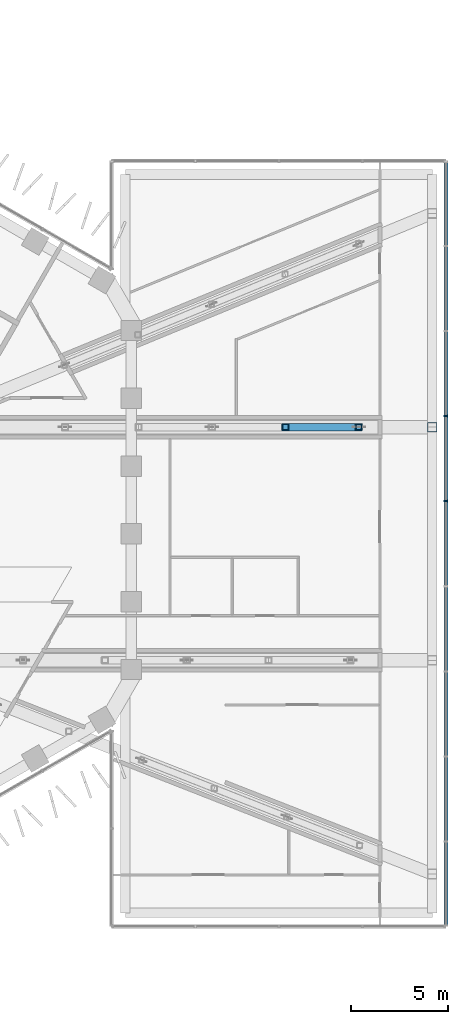
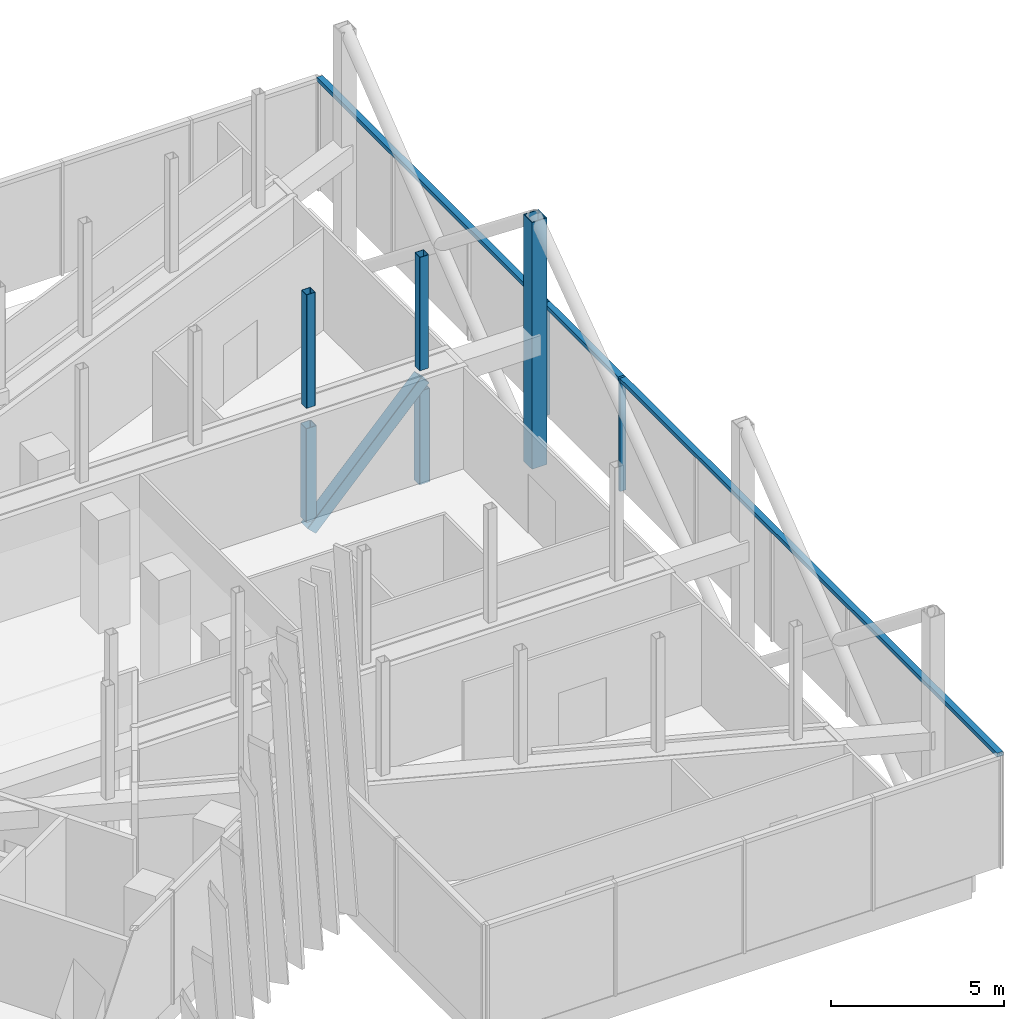
# One storey, part 7 of 28: 9 members, 1 element without a shape of its own.
"""IFC4 building model written with IfcOpenShell, lengths in metres."""

from ifc_helpers import new_model, si_unit, direction, frame, origin, origin_2d, place, context, subcontext, project, spatial, rectangle, hollow_rectangle, extrude, material, layer, layer_set, material_profile, profile_set, type_object, element, aggregate, save


model = new_model("IFC4")

# Units and contexts
model_context = context("Model", 3, precision=1e-05, world=origin(), true_north=direction((0.0, 1.0)))
body_context = subcontext(model_context, "Body", "Model", "MODEL_VIEW")
ifc_project = project(units=[si_unit("LENGTHUNIT", "METRE"), si_unit("AREAUNIT", "SQUARE_METRE"), si_unit("VOLUMEUNIT", "CUBIC_METRE"), si_unit("PLANEANGLEUNIT", "RADIAN"), si_unit("MASSUNIT", "GRAM", prefix="KILO")], contexts=[model_context])

# Site, building, storey
site_placement = place(None, origin())
site = spatial("IfcSite", under=ifc_project, at=site_placement, CompositionType="ELEMENT")
building_placement = place(site_placement, origin())
building = spatial("IfcBuilding", under=site, at=building_placement, Name="Ayvan Gate Tower", CompositionType="ELEMENT")
storey_placement = place(building_placement, frame((0.0, 0.0, 120.5)))
storey = spatial("IfcBuildingStorey", under=building, at=storey_placement, Name="L32", CompositionType="ELEMENT", Elevation=120.5)

# Members
ifc_material_1 = material(Name="Steel S460ML", Category="steel")
ifc_material_profile_1 = material_profile(ifc_material_1, hollow_rectangle(XDim=0.5, YDim=0.5, WallThickness=0.030029296875, at=origin_2d()), Name="BOX 500x500x30")
ifc_profile_set_1 = profile_set([ifc_material_profile_1], Name="Steel S460ML")
member_type_1 = type_object("IfcMemberType", Name="Sky bar end wall post BOX 500x500x30", PredefinedType="POST", material=ifc_profile_set_1)
member_1_placement = place(storey_placement, frame((34.985595703125, 3.75, -1.10009765625), z_axis=(0.0, 0.0, 1.0), x_axis=(1.0, 0.0, 0.0)))
element("IfcMember", 1, at=member_1_placement, inside=storey, type_object=member_type_1, Name="EXO-B2-P3", PredefinedType="POST", context=body_context, shape_type="SweptSolid", body=[
    extrude(hollow_rectangle(XDim=0.5, YDim=0.5, WallThickness=0.030029296875, at=origin_2d()), origin(), (0.0, 0.0, 1.0), 8.7001953125),
])
ifc_material_2 = material(Name="Steel S460NH", Category="steel")
ifc_material_profile_2 = material_profile(ifc_material_2, hollow_rectangle(XDim=0.39990234375, YDim=0.39990234375, WallThickness=0.01611328125, InnerFilletRadius=0.01611328125, OuterFilletRadius=0.02392578125, at=origin_2d()), Name="RHS 400x400x16")
ifc_profile_set_2 = profile_set([ifc_material_profile_2], Name="Steel S460NH")
member_type_2 = type_object("IfcMemberType", Name="Sky bar truss brace B2 RHS 400x400x16", PredefinedType="BRACE", material=ifc_profile_set_2)
member_2_placement = place(storey_placement, frame((27.423828125, 3.75, -0.75), z_axis=(0.686910026265, 0.0, 0.726742468703), x_axis=(0.0, 1.0, 0.0)))
element("IfcMember", 2, at=member_2_placement, inside=storey, type_object=member_type_2, Name="SBT2-3-D-6", PredefinedType="BRACE", context=body_context, shape_type="SweptSolid", body=[
    extrude(hollow_rectangle(XDim=0.39990234375, YDim=0.39990234375, WallThickness=0.01611328125, InnerFilletRadius=0.01611328125, OuterFilletRadius=0.02392578125, at=origin_2d()), origin(), (0.0, 0.0, 1.0), 5.50390625),
])
ifc_material_profile_3 = material_profile(ifc_material_2, hollow_rectangle(XDim=0.35009765625, YDim=0.35009765625, WallThickness=0.01611328125, InnerFilletRadius=0.01611328125, OuterFilletRadius=0.02392578125, at=origin_2d()), Name="RHS 350x350x16")
ifc_profile_set_3 = profile_set([ifc_material_profile_3], Name="Steel S460NH")
member_type_3 = type_object("IfcMemberType", Name="Sky bar truss post B2 RHS 350x350x16", PredefinedType="POST", material=ifc_profile_set_3)
for number, where, z_axis, x_axis, name in (
    (3, (27.423828125, 3.75, -0.39990234375), (0.0, 0.0, 1.0), (1.0, 0.0, 0.0), "SBT2-3-P-5"),
    (4, (31.20458984375, 3.75, -0.39990234375), (0.0, 0.0, 1.0), (1.0, 0.0, 0.0), "SBT2-3-P-6"),
):
    element("IfcMember", number, at=place(storey_placement, frame(where, z_axis=z_axis, x_axis=x_axis)), inside=storey, type_object=member_type_3, Name=name, PredefinedType="POST", context=body_context, shape_type="SweptSolid", body=[
        extrude(hollow_rectangle(XDim=0.35009765625, YDim=0.35009765625, WallThickness=0.01611328125, InnerFilletRadius=0.01611328125, OuterFilletRadius=0.02392578125, at=origin_2d()), origin(), (0.0, 0.0, 1.0), 3.2998046875),
    ])
ifc_material_profile_4 = material_profile(ifc_material_2, hollow_rectangle(XDim=0.300048828125, YDim=0.300048828125, WallThickness=0.012451171875, InnerFilletRadius=0.012451171875, OuterFilletRadius=0.018798828125, at=origin_2d()), Name="RHS 300x300x12.5")
ifc_profile_set_4 = profile_set([ifc_material_profile_4], Name="Steel S460NH")
member_type_4 = type_object("IfcMemberType", Name="Sky bar upper post B2 RHS 300x300x12.5", PredefinedType="POST", material=ifc_profile_set_4)
for number, where, z_axis, x_axis, name in (
    (5, (27.423828125, 3.75, 3.60009765625), (0.0, 0.0, 1.0), (1.0, 0.0, 0.0), "SBT2-3-U-5"),
    (6, (31.20458984375, 3.75, 3.60009765625), (0.0, 0.0, 1.0), (1.0, 0.0, 0.0), "SBT2-3-U-6"),
):
    element("IfcMember", number, at=place(storey_placement, frame(where, z_axis=z_axis, x_axis=x_axis)), inside=storey, type_object=member_type_4, Name=name, PredefinedType="POST", context=body_context, shape_type="SweptSolid", body=[
        extrude(hollow_rectangle(XDim=0.300048828125, YDim=0.300048828125, WallThickness=0.012451171875, InnerFilletRadius=0.012451171875, OuterFilletRadius=0.018798828125, at=origin_2d()), origin(), (0.0, 0.0, 1.0), 4.0),
    ])

# Curtain wall, members
ifc_material_3 = material(Name="Bronze anodised aluminium", Category="aluminium")
ifc_layer = layer(ifc_material_3, 0.199951171875)
ifc_layer_set = layer_set([ifc_layer], Name="Bronze anodised aluminium")
curtain_wall_type = type_object("IfcCurtainWallType", Name="Stick curtain wall CW-4", PredefinedType="NOTDEFINED", material=ifc_layer_set)
curtain_wall_placement = place(storey_placement, origin())
curtain_wall = element("IfcCurtainWall", 7, at=curtain_wall_placement, inside=storey, type_object=curtain_wall_type, Name="Stick curtain wall CW-4 L32", PredefinedType="NOTDEFINED")
ifc_material_profile_5 = material_profile(ifc_material_3, rectangle(XDim=0.199951171875, YDim=0.080078125, at=origin_2d()), Name="Stick curtain wall CW-4 mullion 200 x 80")
ifc_profile_set_5 = profile_set([ifc_material_profile_5], Name="Bronze anodised aluminium")
member_type_5 = type_object("IfcMemberType", Name="Stick curtain wall CW-4 mullion 200 x 80", PredefinedType="MULLION", material=ifc_profile_set_5)
member_3_placement = place(storey_placement, frame((35.685546875, -0.06103515625, 0.0), z_axis=(0.0, 0.0, 1.0), x_axis=(1.0, 0.0, 0.0)))
member_3 = element("IfcMember", 8, at=member_3_placement, type_object=member_type_5, Name="CW-4 mullion 6", PredefinedType="MULLION", context=body_context, shape_type="SweptSolid", body=[
    extrude(rectangle(XDim=0.199951171875, YDim=0.080078125, at=origin_2d()), origin(), (0.0, 0.0, 1.0), 4.0),
])
member_4_placement = place(storey_placement, frame((35.685546875, 4.316650390625, 0.0), z_axis=(0.0, 0.0, 1.0), x_axis=(1.0, 0.0, 0.0)))
member_4 = element("IfcMember", 9, at=member_4_placement, type_object=member_type_5, Name="CW-4 mullion 7", PredefinedType="MULLION", context=body_context, shape_type="SweptSolid", body=[
    extrude(rectangle(XDim=0.199951171875, YDim=0.080078125, at=origin_2d()), origin(), (0.0, 0.0, 1.0), 4.0),
])
ifc_material_profile_6 = material_profile(ifc_material_3, rectangle(XDim=0.199951171875, YDim=0.139892578125, at=origin_2d()), Name="Stick curtain wall CW-4 transom 200 x 140")
ifc_profile_set_6 = profile_set([ifc_material_profile_6], Name="Bronze anodised aluminium")
member_type_6 = type_object("IfcMemberType", Name="Stick curtain wall CW-4 transom 200 x 140", PredefinedType="USERDEFINED", material=ifc_profile_set_6)
member_5_placement = place(storey_placement, frame((35.685546875, -21.909912109375, 3.929931640625), z_axis=(0.0, 1.0, 0.0), x_axis=(-1.0, 0.0, 0.0)))
member_5 = element("IfcMember", 10, at=member_5_placement, type_object=member_type_6, Name="CW-4 transom 1", ObjectType="TRANSOM", PredefinedType="USERDEFINED", context=body_context, shape_type="SweptSolid", body=[
    extrude(rectangle(XDim=0.199951171875, YDim=0.139892578125, at=origin_2d()), origin(), (0.0, 0.0, 1.0), 39.31982421875),
])
aggregate(curtain_wall, [member_3, member_4, member_5])

save(model, "model.ifc")
